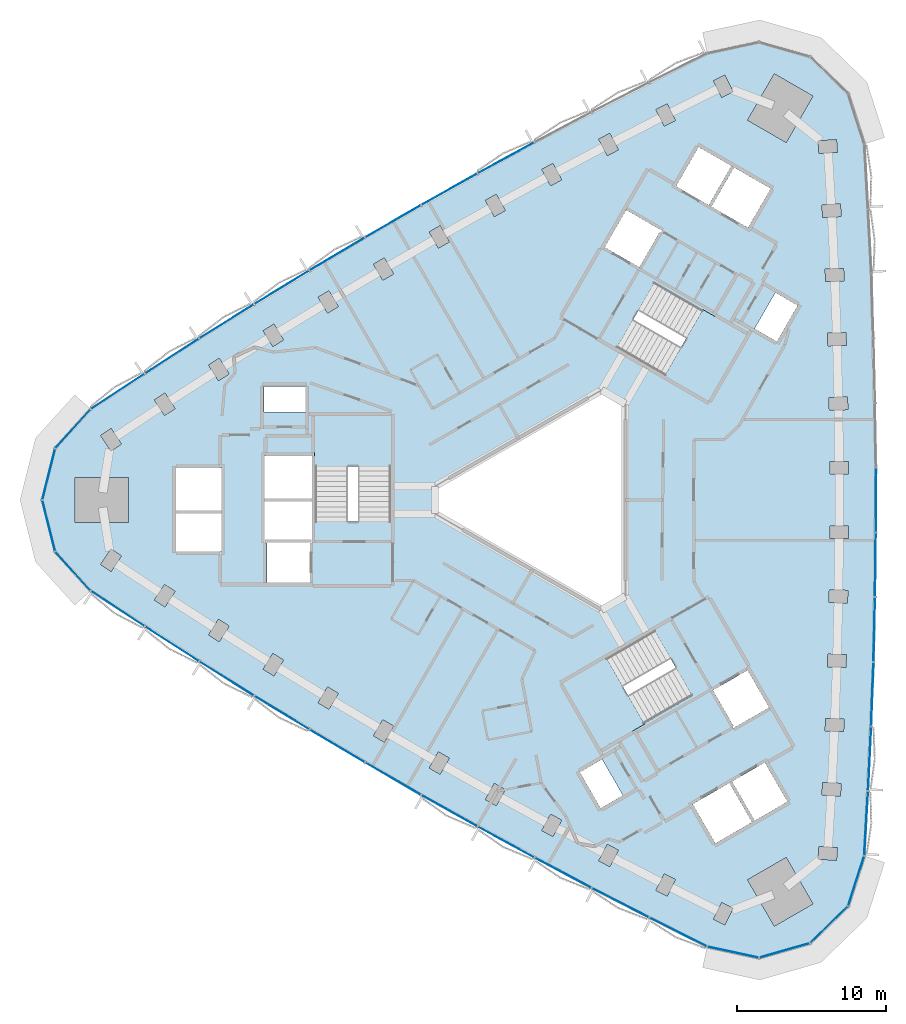
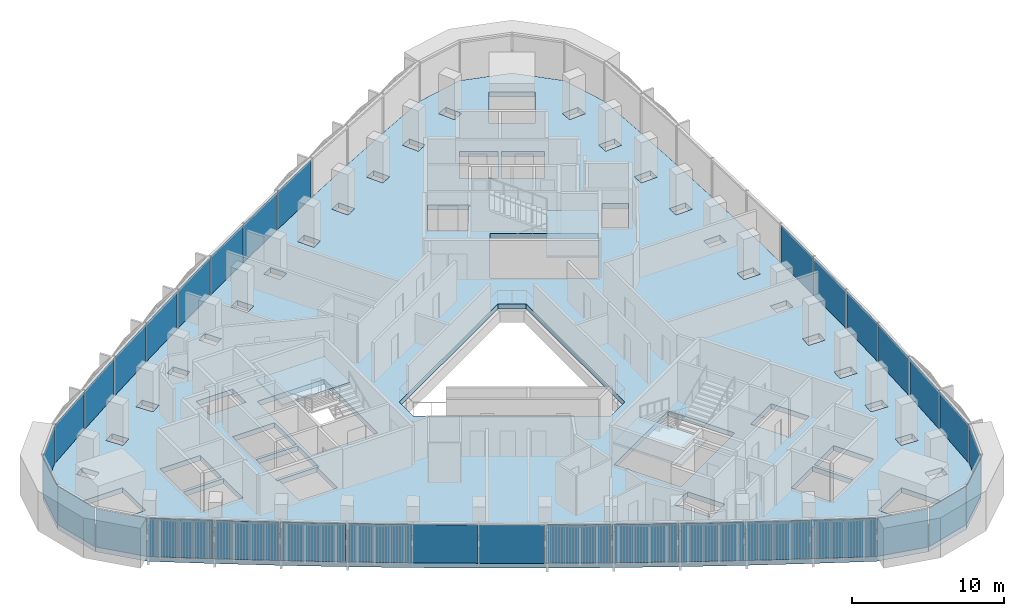
# One storey, part 6 of 14: 33 plates, 4 slabs, 6 elements without a shape of their own.
"""IFC4 building model written with IfcOpenShell, lengths in metres."""

from ifc_helpers import new_model, si_unit, direction, frame, origin, origin_2d, place, context, subcontext, project, spatial, polyline, rectangle, outline, extrude, material, layer, layer_set, type_object, element, aggregate, save


model = new_model("IFC4")

# Units and contexts
model_context = context("Model", 3, precision=1e-05, world=origin(), true_north=direction((0.0, 1.0)))
body_context = subcontext(model_context, "Body", "Model", "MODEL_VIEW")
ifc_project = project(units=[si_unit("LENGTHUNIT", "METRE"), si_unit("AREAUNIT", "SQUARE_METRE"), si_unit("VOLUMEUNIT", "CUBIC_METRE"), si_unit("PLANEANGLEUNIT", "RADIAN"), si_unit("MASSUNIT", "GRAM", prefix="KILO")], contexts=[model_context])

# Site, building, storey
site_placement = place(None, origin())
site = spatial("IfcSite", under=ifc_project, at=site_placement, CompositionType="ELEMENT")
building_placement = place(site_placement, origin())
building = spatial("IfcBuilding", under=site, at=building_placement, Name="Tamra Quay Hotel Tower", CompositionType="ELEMENT")
storey_placement = place(building_placement, frame((0.0, 0.0, 146.800048828125)))
storey = spatial("IfcBuildingStorey", under=building, at=storey_placement, Name="L36", CompositionType="ELEMENT", Elevation=146.800048828125)

# Stair, slab
ifc_material_1 = material(Name="Exit stair 2200 24 risers 150.0 going 342")
stair_type = type_object("IfcStairType", Name="Exit stair 2200 24 risers 150.0 going 342", PredefinedType="HALF_TURN_STAIR", material=ifc_material_1)
stair_1_placement = place(storey_placement, origin())
stair_1 = element("IfcStair", 1, at=stair_1_placement, inside=storey, type_object=stair_type, Name="L36 Exit stair ST3", PredefinedType="HALF_TURN_STAIR")
ifc_material_2 = material(Name="Concrete M70", Category="concrete")
ifc_layer_1 = layer(ifc_material_2, 0.175048828125)
ifc_layer_set_1 = layer_set([ifc_layer_1], Name="Concrete M70 stair landing 180")
slab_type_1 = type_object("IfcSlabType", Name="Concrete M70 stair landing 180", PredefinedType="LANDING", material=ifc_layer_set_1)
slab_1_placement = place(storey_placement, frame((0.0, 0.0, 1.625)))
slab_1 = element("IfcSlab", 2, at=slab_1_placement, type_object=slab_type_1, Name="ST3 landing 1", PredefinedType="LANDING", context=body_context, shape_type="SweptSolid", body=[
    extrude(outline(polyline([(-10.932373046875, 2.261962890625), (-10.932373046875, 5.679931640625), (-16.09130859375, 5.679931640625), (-16.09130859375, 2.261962890625), (-10.932373046875, 2.261962890625)])), origin(), (0.0, 0.0, 1.0), 0.175048828125),
])
aggregate(stair_1, [slab_1])

stair_2_placement = place(storey_placement, origin())
stair_2 = element("IfcStair", 3, at=stair_2_placement, inside=storey, type_object=stair_type, Name="L36 Exit stair ST1", PredefinedType="HALF_TURN_STAIR")
slab_2_placement = place(storey_placement, frame((0.0, 0.0, 1.625)))
slab_2 = element("IfcSlab", 4, at=slab_2_placement, type_object=slab_type_1, Name="ST1 landing 1", PredefinedType="LANDING", context=body_context, shape_type="SweptSolid", body=[
    extrude(outline(polyline([(7.425048828125, 8.336669921875), (10.385009765625, 6.627685546875), (12.964599609375, 11.095458984375), (10.00439453125, 12.804443359375), (7.425048828125, 8.336669921875)])), origin(), (0.0, 0.0, 1.0), 0.175048828125),
])
aggregate(stair_2, [slab_2])

stair_3_placement = place(storey_placement, origin())
stair_3 = element("IfcStair", 5, at=stair_3_placement, inside=storey, type_object=stair_type, Name="L36 Exit stair ST2", PredefinedType="HALF_TURN_STAIR")
slab_3_placement = place(storey_placement, frame((0.0, 0.0, 1.625)))
slab_3 = element("IfcSlab", 6, at=slab_3_placement, type_object=slab_type_1, Name="ST2 landing 1", PredefinedType="LANDING", context=body_context, shape_type="SweptSolid", body=[
    extrude(outline(polyline([(3.50732421875, -10.5986328125), (0.547119140625, -12.3076171875), (3.126708984375, -16.775390625), (6.086669921875, -15.06640625), (3.50732421875, -10.5986328125)])), origin(), (0.0, 0.0, 1.0), 0.175048828125),
])
aggregate(stair_3, [slab_3])

# Slab
ifc_material_3 = material(Name="Concrete M60", Category="concrete")
ifc_layer_2 = layer(ifc_material_3, 0.39990234375)
ifc_layer_set_2 = layer_set([ifc_layer_2], Name="FLOOR SLAB PT 400")
slab_type_2 = type_object("IfcSlabType", Name="FLOOR SLAB PT 400", PredefinedType="FLOOR", material=ifc_layer_set_2)
slab_4_placement = place(storey_placement, frame((0.0, 0.0, -0.400146484375)))
element("IfcSlab", 7, at=slab_4_placement, inside=storey, type_object=slab_type_2, Name="SLAB-L36", PredefinedType="FLOOR", context=body_context, shape_type="SweptSolid", body=[
    extrude(outline(polyline([(21.11181640625, 19.57421875), (21.319580078125, 15.228271484375), (21.4755859375, 10.87841796875), (21.57958984375, 6.527099609375), (21.631591796875, 2.17626953125), (21.631591796875, -2.17626953125), (21.57958984375, -6.527099609375), (21.4755859375, -10.87841796875), (21.319580078125, -15.228271484375), (21.11181640625, -19.57421875), (20.852294921875, -23.918212890625), (19.76171875, -27.31201171875), (17.199951171875, -29.791259765625), (13.772216796875, -30.770263671875), (10.28759765625, -30.017578125), (6.39599609375, -28.0703125), (2.5283203125, -26.077392578125), (-1.31689453125, -24.03759765625), (-5.13720703125, -21.951904296875), (-8.930908203125, -19.821533203125), (-12.700439453125, -17.645263671875), (-16.4423828125, -15.4248046875), (-20.15869140625, -13.1591796875), (-23.84765625, -10.84912109375), (-27.507568359375, -8.49609375), (-31.139892578125, -6.099365234375), (-33.53369140625, -3.4580078125), (-34.39990234375, 0.0), (-33.53369140625, 3.4580078125), (-31.139892578125, 6.099365234375), (-27.507568359375, 8.49609375), (-23.84765625, 10.84912109375), (-20.15869140625, 13.1591796875), (-16.4423828125, 15.4248046875), (-12.700439453125, 17.645263671875), (-8.930908203125, 19.821533203125), (-5.13720703125, 21.951904296875), (-1.31689453125, 24.03759765625), (2.5283203125, 26.077392578125), (6.39599609375, 28.0703125), (10.28759765625, 30.017578125), (13.772216796875, 30.770263671875), (17.199951171875, 29.791259765625), (19.76171875, 27.31201171875), (20.852294921875, 23.918212890625), (21.11181640625, 19.57421875)]), holes=[polyline([(-12.1396484375, -15.846435546875), (-11.406005859375, -16.27587890625), (-10.7744140625, -15.197265625), (-11.5078125, -14.767578125), (-12.1396484375, -15.846435546875)]), polyline([(-15.216796875, -12.561279296875), (-15.86083984375, -13.632568359375), (-15.13232421875, -14.0703125), (-14.48828125, -12.9990234375), (-15.216796875, -12.561279296875)]), polyline([(-18.898193359375, -10.310791015625), (-19.55517578125, -11.3740234375), (-18.83203125, -11.82080078125), (-18.175048828125, -10.757568359375), (-18.898193359375, -10.310791015625)]), polyline([(-22.55224609375, -8.016357421875), (-23.222412109375, -9.071533203125), (-22.5048828125, -9.527099609375), (-21.834716796875, -8.471923828125), (-22.55224609375, -8.016357421875)]), polyline([(-26.179931640625, -5.678466796875), (-26.862060546875, -6.725830078125), (-26.149658203125, -7.189697265625), (-25.467529296875, -6.142333984375), (-26.179931640625, -5.678466796875)]), polyline([(-16.3173828125, -2.85498046875), (-19.4072265625, -2.85498046875), (-19.4072265625, -2.89306640625), (-19.307373046875, -2.89306640625), (-19.307373046875, -5.544921875), (-16.417236328125, -5.544921875), (-16.417236328125, -2.89306640625), (-16.3173828125, -2.89306640625), (-16.3173828125, -2.85498046875)]), polyline([(-29.77880859375, -3.297607421875), (-30.473388671875, -4.3369140625), (-29.7666015625, -4.80908203125), (-29.072021484375, -3.77001953125), (-29.77880859375, -3.297607421875)]), polyline([(-22.3671875, -0.905029296875), (-25.4072265625, -0.905029296875), (-25.4072265625, -3.445068359375), (-22.3671875, -3.445068359375), (-22.3671875, -0.905029296875)]), polyline([(-19.417236328125, -2.89306640625), (-19.417236328125, -2.64501953125), (-16.307373046875, -2.64501953125), (-16.307373046875, -2.89306640625), (-16.26708984375, -2.89306640625), (-16.26708984375, -0.10498046875), (-19.45751953125, -0.10498046875), (-19.45751953125, -2.89306640625), (-19.417236328125, -2.89306640625)]), polyline([(-28.6142578125, 1.5), (-32.214111328125, 1.5), (-32.214111328125, -1.5), (-28.6142578125, -1.5), (-28.6142578125, 1.5)]), polyline([(-25.4072265625, -0.695068359375), (-22.3671875, -0.695068359375), (-22.3671875, 2.14501953125), (-25.4072265625, 2.14501953125), (-25.4072265625, -0.695068359375)]), polyline([(-19.45751953125, 0.10498046875), (-16.26708984375, 0.10498046875), (-16.26708984375, 2.945068359375), (-19.45751953125, 2.945068359375), (-19.45751953125, 0.10498046875)]), polyline([(-16.036376953125, -1.455078125), (-10.9873046875, -1.455078125), (-10.9873046875, 5.625), (-16.036376953125, 5.625), (-16.036376953125, -1.455078125)]), polyline([(-29.072021484375, 3.77001953125), (-29.7666015625, 4.80908203125), (-30.473388671875, 4.3369140625), (-29.77880859375, 3.297607421875), (-29.072021484375, 3.77001953125)]), polyline([(-26.149658203125, 7.189697265625), (-26.862060546875, 6.725830078125), (-26.179931640625, 5.678466796875), (-25.467529296875, 6.142333984375), (-26.149658203125, 7.189697265625)]), polyline([(-16.71728515625, 7.64501953125), (-19.50732421875, 7.64501953125), (-19.50732421875, 5.9150390625), (-16.71728515625, 5.9150390625), (-16.71728515625, 7.64501953125)]), polyline([(-21.834716796875, 8.471923828125), (-22.5048828125, 9.527099609375), (-23.222412109375, 9.071533203125), (-22.55224609375, 8.016357421875), (-21.834716796875, 8.471923828125)]), polyline([(-18.175048828125, 10.757568359375), (-18.83203125, 11.82080078125), (-19.55517578125, 11.3740234375), (-18.898193359375, 10.310791015625), (-18.175048828125, 10.757568359375)]), polyline([(-14.48828125, 12.9990234375), (-15.13232421875, 14.0703125), (-15.86083984375, 13.632568359375), (-15.216796875, 12.561279296875), (-14.48828125, 12.9990234375)]), polyline([(7.414306640625, -25.126708984375), (6.848388671875, -26.2412109375), (7.606201171875, -26.626220703125), (8.17236328125, -25.51171875), (7.414306640625, -25.126708984375)]), polyline([(3.580322265625, -23.1455078125), (3.00146484375, -24.25341796875), (3.7548828125, -24.64697265625), (4.333740234375, -23.5390625), (3.580322265625, -23.1455078125)]), polyline([(-0.821044921875, -22.219482421875), (-0.072509765625, -22.622314453125), (0.519775390625, -21.521484375), (-0.228759765625, -21.118896484375), (-0.821044921875, -22.219482421875)]), polyline([(13.3056640625, -21.65576171875), (11.78564453125, -19.02294921875), (9.325927734375, -20.443115234375), (10.845947265625, -23.075927734375), (13.3056640625, -21.65576171875)]), polyline([(-4.01318359375, -19.046875), (-4.619140625, -20.14013671875), (-3.875732421875, -20.55224609375), (-3.269775390625, -19.458740234375), (-4.01318359375, -19.046875)]), polyline([(1.73779296875, -18.300048828125), (3.1328125, -20.71630859375), (4.631103515625, -19.851318359375), (3.236083984375, -17.43505859375), (1.73779296875, -18.300048828125)]), polyline([(-7.77392578125, -16.9296875), (-8.392333984375, -18.01611328125), (-7.653564453125, -18.436279296875), (-7.035400390625, -17.35009765625), (-7.77392578125, -16.9296875)]), polyline([(9.2783203125, -13.160400390625), (6.75390625, -8.78759765625), (0.622314453125, -12.32763671875), (3.146728515625, -16.7001953125), (9.2783203125, -13.160400390625)]), polyline([(3.199951171875, 7.39013671875), (-8.0, 0.923828125), (-8.0, -0.923828125), (3.199951171875, -7.39013671875), (4.800048828125, -6.46630859375), (4.800048828125, 6.46630859375), (3.199951171875, 7.39013671875)]), polyline([(4.2333984375, 10.242919921875), (10.364990234375, 6.702880859375), (12.889404296875, 11.075439453125), (6.758056640625, 14.615478515625), (4.2333984375, 10.242919921875)]), polyline([(-10.7744140625, 15.197265625), (-11.406005859375, 16.27587890625), (-12.1396484375, 15.846435546875), (-11.5078125, 14.767578125), (-10.7744140625, 15.197265625)]), polyline([(5.736083984375, 15.645263671875), (7.111083984375, 18.02685546875), (7.19775390625, 17.976806640625), (7.267578125, 18.09814453125), (4.8515625, 19.4931640625), (3.406494140625, 16.990234375), (5.736083984375, 15.645263671875)]), polyline([(-7.035400390625, 17.35009765625), (-7.653564453125, 18.436279296875), (-8.392333984375, 18.01611328125), (-7.77392578125, 16.9296875), (-7.035400390625, 17.35009765625)]), polyline([(-3.269775390625, 19.458740234375), (-3.875732421875, 20.55224609375), (-4.619140625, 20.14013671875), (-4.01318359375, 19.046875), (-3.269775390625, 19.458740234375)]), polyline([(8.2001953125, 21.093017578125), (10.39990234375, 19.822998046875), (11.919921875, 22.455810546875), (9.72021484375, 23.725830078125), (8.2001953125, 21.093017578125)]), polyline([(0.519775390625, 21.521484375), (-0.072509765625, 22.622314453125), (-0.821044921875, 22.219482421875), (-0.228759765625, 21.118896484375), (0.519775390625, 21.521484375)]), polyline([(3.7548828125, 24.64697265625), (3.00146484375, 24.25341796875), (3.580322265625, 23.1455078125), (4.333740234375, 23.5390625), (3.7548828125, 24.64697265625)]), polyline([(8.17236328125, 25.51171875), (7.606201171875, 26.626220703125), (6.848388671875, 26.2412109375), (7.414306640625, 25.126708984375), (8.17236328125, 25.51171875)]), polyline([(12.03369140625, 27.43798828125), (11.480712890625, 28.55908203125), (10.718505859375, 28.18310546875), (11.271240234375, 27.06201171875), (12.03369140625, 27.43798828125)]), polyline([(11.271240234375, -27.06201171875), (10.718505859375, -28.18310546875), (11.480712890625, -28.55908203125), (12.03369140625, -27.43798828125), (11.271240234375, -27.06201171875)]), polyline([(13.008056640625, -25.53076171875), (14.80810546875, -28.648193359375), (17.406005859375, -27.148193359375), (15.606201171875, -24.03076171875), (13.008056640625, -25.53076171875)]), polyline([(17.7451171875, -24.140380859375), (18.99267578125, -24.22216796875), (19.048095703125, -23.3740234375), (17.80078125, -23.292236328125), (17.7451171875, -24.140380859375)]), polyline([(14.1669921875, -17.648193359375), (11.96728515625, -18.91796875), (13.487548828125, -21.55078125), (15.68701171875, -20.281005859375), (14.1669921875, -17.648193359375)]), polyline([(19.255859375, -19.900146484375), (19.301513671875, -19.051513671875), (18.05322265625, -18.984375), (18.007568359375, -19.833251953125), (19.255859375, -19.900146484375)]), polyline([(18.218505859375, -15.5224609375), (19.46728515625, -15.5751953125), (19.50341796875, -14.72607421875), (18.25439453125, -14.67333984375), (18.218505859375, -15.5224609375)]), polyline([(10.68115234375, -12.790283203125), (12.05615234375, -15.171875), (11.969482421875, -15.2216796875), (12.03955078125, -15.343017578125), (14.455810546875, -13.947998046875), (13.0107421875, -11.4453125), (10.68115234375, -12.790283203125)]), polyline([(18.37841796875, -11.2109375), (19.627685546875, -11.248291015625), (19.6533203125, -10.398681640625), (18.40380859375, -10.361328125), (18.37841796875, -11.2109375)]), polyline([(18.48681640625, -6.897705078125), (19.736572265625, -6.919677734375), (19.75146484375, -6.06982421875), (18.501708984375, -6.0478515625), (18.48681640625, -6.897705078125)]), polyline([(18.543212890625, -2.582275390625), (19.793212890625, -2.590087890625), (19.79833984375, -1.739990234375), (18.54833984375, -1.732421875), (18.543212890625, -2.582275390625)]), polyline([(18.54833984375, 1.732421875), (19.79833984375, 1.739990234375), (19.793212890625, 2.590087890625), (18.543212890625, 2.582275390625), (18.54833984375, 1.732421875)]), polyline([(18.501708984375, 6.0478515625), (19.75146484375, 6.06982421875), (19.736572265625, 6.919677734375), (18.48681640625, 6.897705078125), (18.501708984375, 6.0478515625)]), polyline([(18.40380859375, 10.361328125), (19.6533203125, 10.398681640625), (19.627685546875, 11.248291015625), (18.37841796875, 11.2109375), (18.40380859375, 10.361328125)]), polyline([(14.9794921875, 10.655029296875), (16.37451171875, 13.0712890625), (14.876220703125, 13.936279296875), (13.481201171875, 11.52001953125), (14.9794921875, 10.655029296875)]), polyline([(18.25439453125, 14.67333984375), (19.50341796875, 14.72607421875), (19.46728515625, 15.5751953125), (18.218505859375, 15.5224609375), (18.25439453125, 14.67333984375)]), polyline([(18.05322265625, 18.984375), (19.301513671875, 19.051513671875), (19.255859375, 19.900146484375), (18.007568359375, 19.833251953125), (18.05322265625, 18.984375)]), polyline([(12.101806640625, 22.350830078125), (10.58154296875, 19.718017578125), (13.041259765625, 18.298095703125), (14.561279296875, 20.930908203125), (12.101806640625, 22.350830078125)]), polyline([(17.80078125, 23.292236328125), (19.048095703125, 23.3740234375), (18.99267578125, 24.22216796875), (17.7451171875, 24.140380859375), (17.80078125, 23.292236328125)]), polyline([(15.606201171875, 24.03076171875), (17.406005859375, 27.148193359375), (14.80810546875, 28.648193359375), (13.008056640625, 25.53076171875), (15.606201171875, 24.03076171875)])]), origin(), (0.0, 0.0, 1.0), 0.400146484375),
])

# Curtain wall, plates
ifc_material_4 = material(Name="Aluminium 6063 anodised dark grey", Category="aluminium")
curtain_wall_type_1 = type_object("IfcCurtainWallType", Name="CW1 CURTAIN WALL", PredefinedType="NOTDEFINED", material=ifc_material_4)
curtain_wall_1_placement = place(storey_placement, origin())
curtain_wall_1 = element("IfcCurtainWall", 8, at=curtain_wall_1_placement, inside=storey, type_object=curtain_wall_type_1, Name="CW1 east face L36", PredefinedType="NOTDEFINED")
ifc_material_5 = material(Name="Glass clear laminated low-iron", Category="glass")
ifc_layer_3 = layer(ifc_material_5, 0.031982421875)
ifc_layer_set_3 = layer_set([ifc_layer_3], Name="GLASS PANEL CW1 Z3")
plate_type_1 = type_object("IfcPlateType", Name="GLASS PANEL CW1 Z3", PredefinedType="CURTAIN_PANEL", material=ifc_layer_set_3)
plate_1_placement = place(storey_placement, frame((20.98193359375, -21.74609375, 0.0), z_axis=(0.0, 0.0, 1.0), x_axis=(0.059641629271, 0.998219853568, 0.0)))
plate_1 = element("IfcPlate", 9, at=plate_1_placement, type_object=plate_type_1, Name="CW1 glass L36.E.1", PredefinedType="CURTAIN_PANEL", context=body_context, shape_type="SweptSolid", body=[
    extrude(rectangle(XDim=4.251708984375, YDim=0.031982421875, at=origin_2d()), origin(), (0.0, 0.0, 1.0), 3.06005859375),
])
plate_2_placement = place(storey_placement, frame((21.215576171875, -17.401123046875, 0.0), z_axis=(0.0, 0.0, 1.0), x_axis=(0.047747439326, 0.998859440581, 0.0)))
plate_2 = element("IfcPlate", 10, at=plate_2_placement, type_object=plate_type_1, Name="CW1 glass L36.E.2", PredefinedType="CURTAIN_PANEL", context=body_context, shape_type="SweptSolid", body=[
    extrude(rectangle(XDim=4.2509765625, YDim=0.031982421875, at=origin_2d()), origin(), (0.0, 0.0, 1.0), 3.06005859375),
])
plate_3_placement = place(storey_placement, frame((21.3974609375, -13.05322265625, 0.0), z_axis=(0.0, 0.0, 1.0), x_axis=(0.035845418958, 0.999357346468, 0.0)))
plate_3 = element("IfcPlate", 11, at=plate_3_placement, type_object=plate_type_1, Name="CW1 glass L36.E.3", PredefinedType="CURTAIN_PANEL", context=body_context, shape_type="SweptSolid", body=[
    extrude(rectangle(XDim=4.252685546875, YDim=0.031982421875, at=origin_2d()), origin(), (0.0, 0.0, 1.0), 3.06005859375),
])
plate_4_placement = place(storey_placement, frame((21.527587890625, -8.70263671875, 0.0), z_axis=(0.0, 0.0, 1.0), x_axis=(0.023895852937, 0.999714453338, 0.0)))
plate_4 = element("IfcPlate", 12, at=plate_4_placement, type_object=plate_type_1, Name="CW1 glass L36.E.4", PredefinedType="CURTAIN_PANEL", context=body_context, shape_type="SweptSolid", body=[
    extrude(rectangle(XDim=4.252685546875, YDim=0.031982421875, at=origin_2d()), origin(), (0.0, 0.0, 1.0), 3.06005859375),
])
plate_5_placement = place(storey_placement, frame((21.60546875, -4.3515625, 0.0), z_axis=(0.0, 0.0, 1.0), x_axis=(0.011956859788, 0.999928514197, 0.0)))
plate_5 = element("IfcPlate", 13, at=plate_5_placement, type_object=plate_type_1, Name="CW1 glass L36.E.5", PredefinedType="CURTAIN_PANEL", context=body_context, shape_type="SweptSolid", body=[
    extrude(rectangle(XDim=4.2509765625, YDim=0.031982421875, at=origin_2d()), origin(), (0.0, 0.0, 1.0), 3.06005859375),
])
plate_6_placement = place(storey_placement, frame((21.631591796875, 0.0, 0.0), z_axis=(0.0, 0.0, 1.0), x_axis=(0.0, 1.0, 0.0)))
plate_6 = element("IfcPlate", 14, at=plate_6_placement, type_object=plate_type_1, Name="CW1 glass L36.E.6", PredefinedType="CURTAIN_PANEL", context=body_context, shape_type="SweptSolid", body=[
    extrude(rectangle(XDim=4.252685546875, YDim=0.031982421875, at=origin_2d()), origin(), (0.0, 0.0, 1.0), 3.06005859375),
])
aggregate(curtain_wall_1, [plate_1, plate_2, plate_3, plate_4, plate_5, plate_6])

curtain_wall_type_2 = type_object("IfcCurtainWallType", Name="CW2 CURTAIN WALL", PredefinedType="NOTDEFINED", material=ifc_material_4)
curtain_wall_2_placement = place(storey_placement, origin())
curtain_wall_2 = element("IfcCurtainWall", 15, at=curtain_wall_2_placement, inside=storey, type_object=curtain_wall_type_2, Name="CW2 north-west face L36", PredefinedType="NOTDEFINED")
ifc_layer_4 = layer(ifc_material_5, 0.031982421875)
ifc_layer_set_4 = layer_set([ifc_layer_4], Name="GLASS PANEL CW2 Z3")
plate_type_2 = type_object("IfcPlateType", Name="GLASS PANEL CW2 Z3", PredefinedType="CURTAIN_PANEL", material=ifc_layer_set_4)
plate_7_placement = place(storey_placement, frame((-3.22705078125, 22.99462890625, 0.0), z_axis=(0.0, 0.0, 1.0), x_axis=(-0.877726039589, -0.479162810981, 0.0)))
plate_7 = element("IfcPlate", 16, at=plate_7_placement, type_object=plate_type_2, Name="CW2 glass L36.NW.4", PredefinedType="CURTAIN_PANEL", context=body_context, shape_type="SweptSolid", body=[
    extrude(rectangle(XDim=4.252685546875, YDim=0.031982421875, at=origin_2d()), origin(), (0.0, 0.0, 1.0), 3.06005859375),
])
plate_8_placement = place(storey_placement, frame((-7.0341796875, 20.88671875, 0.0), z_axis=(0.0, 0.0, 1.0), x_axis=(-0.871941925157, -0.489609312772, 0.0)))
plate_8 = element("IfcPlate", 17, at=plate_8_placement, type_object=plate_type_2, Name="CW2 glass L36.NW.5", PredefinedType="CURTAIN_PANEL", context=body_context, shape_type="SweptSolid", body=[
    extrude(rectangle(XDim=4.2509765625, YDim=0.031982421875, at=origin_2d()), origin(), (0.0, 0.0, 1.0), 3.06005859375),
])
plate_9_placement = place(storey_placement, frame((-10.815673828125, 18.7333984375, 0.0), z_axis=(0.0, 0.0, 1.0), x_axis=(-0.866025403784, -0.5, 0.0)))
plate_9 = element("IfcPlate", 18, at=plate_9_placement, type_object=plate_type_2, Name="CW2 glass L36.NW.6", PredefinedType="CURTAIN_PANEL", context=body_context, shape_type="SweptSolid", body=[
    extrude(rectangle(XDim=4.252685546875, YDim=0.031982421875, at=origin_2d()), origin(), (0.0, 0.0, 1.0), 3.06005859375),
])
plate_10_placement = place(storey_placement, frame((-14.571533203125, 16.53515625, 0.0), z_axis=(0.0, 0.0, 1.0), x_axis=(-0.859985065369, -0.510319201424, 0.0)))
plate_10 = element("IfcPlate", 19, at=plate_10_placement, type_object=plate_type_2, Name="CW2 glass L36.NW.7", PredefinedType="CURTAIN_PANEL", context=body_context, shape_type="SweptSolid", body=[
    extrude(rectangle(XDim=4.2509765625, YDim=0.031982421875, at=origin_2d()), origin(), (0.0, 0.0, 1.0), 3.06005859375),
])
plate_11_placement = place(storey_placement, frame((-18.300537109375, 14.2919921875, 0.0), z_axis=(0.0, 0.0, 1.0), x_axis=(-0.853830186653, -0.520551642357, 0.0)))
plate_11 = element("IfcPlate", 20, at=plate_11_placement, type_object=plate_type_2, Name="CW2 glass L36.NW.8", PredefinedType="CURTAIN_PANEL", context=body_context, shape_type="SweptSolid", body=[
    extrude(rectangle(XDim=4.252685546875, YDim=0.031982421875, at=origin_2d()), origin(), (0.0, 0.0, 1.0), 3.06005859375),
])
plate_12_placement = place(storey_placement, frame((-22.003173828125, 12.004150390625, 0.0), z_axis=(0.0, 0.0, 1.0), x_axis=(-0.847546140021, -0.530721716661, 0.0)))
plate_12 = element("IfcPlate", 21, at=plate_12_placement, type_object=plate_type_2, Name="CW2 glass L36.NW.9", PredefinedType="CURTAIN_PANEL", context=body_context, shape_type="SweptSolid", body=[
    extrude(rectangle(XDim=4.252685546875, YDim=0.031982421875, at=origin_2d()), origin(), (0.0, 0.0, 1.0), 3.06005859375),
])
plate_13_placement = place(storey_placement, frame((-25.677734375, 9.672607421875, 0.0), z_axis=(0.0, 0.0, 1.0), x_axis=(-0.84116393069, -0.540780215713, 0.0)))
plate_13 = element("IfcPlate", 22, at=plate_13_placement, type_object=plate_type_2, Name="CW2 glass L36.NW.10", PredefinedType="CURTAIN_PANEL", context=body_context, shape_type="SweptSolid", body=[
    extrude(rectangle(XDim=4.2509765625, YDim=0.031982421875, at=origin_2d()), origin(), (0.0, 0.0, 1.0), 3.06005859375),
])
plate_14_placement = place(storey_placement, frame((-29.32373046875, 7.2978515625, 0.0), z_axis=(0.0, 0.0, 1.0), x_axis=(-0.834662937117, -0.550761092856, 0.0)))
plate_14 = element("IfcPlate", 23, at=plate_14_placement, type_object=plate_type_2, Name="CW2 glass L36.NW.11", PredefinedType="CURTAIN_PANEL", context=body_context, shape_type="SweptSolid", body=[
    extrude(rectangle(XDim=4.251708984375, YDim=0.031982421875, at=origin_2d()), origin(), (0.0, 0.0, 1.0), 3.06005859375),
])
plate_15_placement = place(storey_placement, frame((-32.3369140625, 4.77880859375, 0.0), z_axis=(0.0, 0.0, 1.0), x_axis=(-0.671549804177, -0.740959418936, 0.0)))
plate_15 = element("IfcPlate", 24, at=plate_15_placement, type_object=plate_type_2, Name="CW2 glass L36.NW.12", PredefinedType="CURTAIN_PANEL", context=body_context, shape_type="SweptSolid", body=[
    extrude(rectangle(XDim=3.46484375, YDim=0.031982421875, at=origin_2d()), origin(), (0.0, 0.0, 1.0), 3.06005859375),
])
plate_16_placement = place(storey_placement, frame((-33.967041015625, 1.72900390625, 0.0), z_axis=(0.0, 0.0, 1.0), x_axis=(-0.242976186667, -0.970032253439, 0.0)))
plate_16 = element("IfcPlate", 25, at=plate_16_placement, type_object=plate_type_2, Name="CW2 glass L36.NW.13", PredefinedType="CURTAIN_PANEL", context=body_context, shape_type="SweptSolid", body=[
    extrude(rectangle(XDim=3.46484375, YDim=0.031982421875, at=origin_2d()), origin(), (0.0, 0.0, 1.0), 3.06005859375),
])
plate_17_placement = place(storey_placement, frame((-33.967041015625, -1.72900390625, 0.0), z_axis=(0.0, 0.0, 1.0), x_axis=(0.242976186667, -0.970032253439, 0.0)))
plate_17 = element("IfcPlate", 26, at=plate_17_placement, type_object=plate_type_2, Name="CW2 glass L36.NW.14", PredefinedType="CURTAIN_PANEL", context=body_context, shape_type="SweptSolid", body=[
    extrude(rectangle(XDim=3.46484375, YDim=0.031982421875, at=origin_2d()), origin(), (0.0, 0.0, 1.0), 3.06005859375),
])
plate_18_placement = place(storey_placement, frame((-32.3369140625, -4.77880859375, 0.0), z_axis=(0.0, 0.0, 1.0), x_axis=(0.671549804177, -0.740959418936, 0.0)))
plate_18 = element("IfcPlate", 27, at=plate_18_placement, type_object=plate_type_2, Name="CW2 glass L36.NW.15", PredefinedType="CURTAIN_PANEL", context=body_context, shape_type="SweptSolid", body=[
    extrude(rectangle(XDim=3.46484375, YDim=0.031982421875, at=origin_2d()), origin(), (0.0, 0.0, 1.0), 3.06005859375),
])
aggregate(curtain_wall_2, [plate_7, plate_8, plate_9, plate_10, plate_11, plate_12, plate_13, plate_14, plate_15, plate_16, plate_17, plate_18])

curtain_wall_type_3 = type_object("IfcCurtainWallType", Name="CW3 CURTAIN WALL", PredefinedType="NOTDEFINED", material=ifc_material_4)
curtain_wall_3_placement = place(storey_placement, origin())
curtain_wall_3 = element("IfcCurtainWall", 28, at=curtain_wall_3_placement, inside=storey, type_object=curtain_wall_type_3, Name="CW3 south-west face L36", PredefinedType="NOTDEFINED")
ifc_layer_5 = layer(ifc_material_5, 0.031982421875)
ifc_layer_set_5 = layer_set([ifc_layer_5], Name="GLASS PANEL CW3 Z3")
plate_type_3 = type_object("IfcPlateType", Name="GLASS PANEL CW3 Z3", PredefinedType="CURTAIN_PANEL", material=ifc_layer_set_5)
plate_19_placement = place(storey_placement, frame((-29.32373046875, -7.2978515625, 0.0), z_axis=(0.0, 0.0, 1.0), x_axis=(0.834662937117, -0.550761092856, 0.0)))
plate_19 = element("IfcPlate", 29, at=plate_19_placement, type_object=plate_type_3, Name="CW3 glass L36.SW.1", PredefinedType="CURTAIN_PANEL", context=body_context, shape_type="SweptSolid", body=[
    extrude(rectangle(XDim=4.251708984375, YDim=0.031982421875, at=origin_2d()), origin(), (0.0, 0.0, 1.0), 3.06005859375),
])
plate_20_placement = place(storey_placement, frame((-25.677734375, -9.672607421875, 0.0), z_axis=(0.0, 0.0, 1.0), x_axis=(0.84116393069, -0.540780215713, 0.0)))
plate_20 = element("IfcPlate", 30, at=plate_20_placement, type_object=plate_type_3, Name="CW3 glass L36.SW.2", PredefinedType="CURTAIN_PANEL", context=body_context, shape_type="SweptSolid", body=[
    extrude(rectangle(XDim=4.2509765625, YDim=0.031982421875, at=origin_2d()), origin(), (0.0, 0.0, 1.0), 3.06005859375),
])
plate_21_placement = place(storey_placement, frame((-22.003173828125, -12.004150390625, 0.0), z_axis=(0.0, 0.0, 1.0), x_axis=(0.847546140021, -0.530721716661, 0.0)))
plate_21 = element("IfcPlate", 31, at=plate_21_placement, type_object=plate_type_3, Name="CW3 glass L36.SW.3", PredefinedType="CURTAIN_PANEL", context=body_context, shape_type="SweptSolid", body=[
    extrude(rectangle(XDim=4.252685546875, YDim=0.031982421875, at=origin_2d()), origin(), (0.0, 0.0, 1.0), 3.06005859375),
])
plate_22_placement = place(storey_placement, frame((-18.300537109375, -14.2919921875, 0.0), z_axis=(0.0, 0.0, 1.0), x_axis=(0.853830186653, -0.520551642357, 0.0)))
plate_22 = element("IfcPlate", 32, at=plate_22_placement, type_object=plate_type_3, Name="CW3 glass L36.SW.4", PredefinedType="CURTAIN_PANEL", context=body_context, shape_type="SweptSolid", body=[
    extrude(rectangle(XDim=4.252685546875, YDim=0.031982421875, at=origin_2d()), origin(), (0.0, 0.0, 1.0), 3.06005859375),
])
plate_23_placement = place(storey_placement, frame((-14.571533203125, -16.53515625, 0.0), z_axis=(0.0, 0.0, 1.0), x_axis=(0.859985065369, -0.510319201424, 0.0)))
plate_23 = element("IfcPlate", 33, at=plate_23_placement, type_object=plate_type_3, Name="CW3 glass L36.SW.5", PredefinedType="CURTAIN_PANEL", context=body_context, shape_type="SweptSolid", body=[
    extrude(rectangle(XDim=4.2509765625, YDim=0.031982421875, at=origin_2d()), origin(), (0.0, 0.0, 1.0), 3.06005859375),
])
plate_24_placement = place(storey_placement, frame((-10.815673828125, -18.7333984375, 0.0), z_axis=(0.0, 0.0, 1.0), x_axis=(0.866025403784, -0.5, 0.0)))
plate_24 = element("IfcPlate", 34, at=plate_24_placement, type_object=plate_type_3, Name="CW3 glass L36.SW.6", PredefinedType="CURTAIN_PANEL", context=body_context, shape_type="SweptSolid", body=[
    extrude(rectangle(XDim=4.252685546875, YDim=0.031982421875, at=origin_2d()), origin(), (0.0, 0.0, 1.0), 3.06005859375),
])
plate_25_placement = place(storey_placement, frame((-7.0341796875, -20.88671875, 0.0), z_axis=(0.0, 0.0, 1.0), x_axis=(0.871941925157, -0.489609312772, 0.0)))
plate_25 = element("IfcPlate", 35, at=plate_25_placement, type_object=plate_type_3, Name="CW3 glass L36.SW.7", PredefinedType="CURTAIN_PANEL", context=body_context, shape_type="SweptSolid", body=[
    extrude(rectangle(XDim=4.2509765625, YDim=0.031982421875, at=origin_2d()), origin(), (0.0, 0.0, 1.0), 3.06005859375),
])
plate_26_placement = place(storey_placement, frame((-3.22705078125, -22.99462890625, 0.0), z_axis=(0.0, 0.0, 1.0), x_axis=(0.877726039589, -0.479162810981, 0.0)))
plate_26 = element("IfcPlate", 36, at=plate_26_placement, type_object=plate_type_3, Name="CW3 glass L36.SW.8", PredefinedType="CURTAIN_PANEL", context=body_context, shape_type="SweptSolid", body=[
    extrude(rectangle(XDim=4.252685546875, YDim=0.031982421875, at=origin_2d()), origin(), (0.0, 0.0, 1.0), 3.06005859375),
])
plate_27_placement = place(storey_placement, frame((0.605712890625, -25.057373046875, 0.0), z_axis=(0.0, 0.0, 1.0), x_axis=(0.883391558979, -0.468635629808, 0.0)))
plate_27 = element("IfcPlate", 37, at=plate_27_placement, type_object=plate_type_3, Name="CW3 glass L36.SW.9", PredefinedType="CURTAIN_PANEL", context=body_context, shape_type="SweptSolid", body=[
    extrude(rectangle(XDim=4.252685546875, YDim=0.031982421875, at=origin_2d()), origin(), (0.0, 0.0, 1.0), 3.06005859375),
])
plate_28_placement = place(storey_placement, frame((4.462158203125, -27.073974609375, 0.0), z_axis=(0.0, 0.0, 1.0), x_axis=(0.888911370016, -0.458079224868, 0.0)))
plate_28 = element("IfcPlate", 38, at=plate_28_placement, type_object=plate_type_3, Name="CW3 glass L36.SW.10", PredefinedType="CURTAIN_PANEL", context=body_context, shape_type="SweptSolid", body=[
    extrude(rectangle(XDim=4.2509765625, YDim=0.031982421875, at=origin_2d()), origin(), (0.0, 0.0, 1.0), 3.06005859375),
])
plate_29_placement = place(storey_placement, frame((8.341796875, -29.0439453125, 0.0), z_axis=(0.0, 0.0, 1.0), x_axis=(0.894304566387, -0.447458760713, 0.0)))
plate_29 = element("IfcPlate", 39, at=plate_29_placement, type_object=plate_type_3, Name="CW3 glass L36.SW.11", PredefinedType="CURTAIN_PANEL", context=body_context, shape_type="SweptSolid", body=[
    extrude(rectangle(XDim=4.251708984375, YDim=0.031982421875, at=origin_2d()), origin(), (0.0, 0.0, 1.0), 3.06005859375),
])
plate_30_placement = place(storey_placement, frame((12.030029296875, -30.393798828125, 0.0), z_axis=(0.0, 0.0, 1.0), x_axis=(0.97746458206, -0.211099480856, 0.0)))
plate_30 = element("IfcPlate", 40, at=plate_30_placement, type_object=plate_type_3, Name="CW3 glass L36.SW.12", PredefinedType="CURTAIN_PANEL", context=body_context, shape_type="SweptSolid", body=[
    extrude(rectangle(XDim=3.46484375, YDim=0.031982421875, at=origin_2d()), origin(), (0.0, 0.0, 1.0), 3.06005859375),
])
plate_31_placement = place(storey_placement, frame((15.486083984375, -30.28076171875, 0.0), z_axis=(0.0, 0.0, 1.0), x_axis=(0.961560667302, 0.274592576551, 0.0)))
plate_31 = element("IfcPlate", 41, at=plate_31_placement, type_object=plate_type_3, Name="CW3 glass L36.SW.13", PredefinedType="CURTAIN_PANEL", context=body_context, shape_type="SweptSolid", body=[
    extrude(rectangle(XDim=3.46484375, YDim=0.031982421875, at=origin_2d()), origin(), (0.0, 0.0, 1.0), 3.06005859375),
])
plate_32_placement = place(storey_placement, frame((18.480712890625, -28.5517578125, 0.0), z_axis=(0.0, 0.0, 1.0), x_axis=(0.718584480635, 0.695439676888, 0.0)))
plate_32 = element("IfcPlate", 42, at=plate_32_placement, type_object=plate_type_3, Name="CW3 glass L36.SW.14", PredefinedType="CURTAIN_PANEL", context=body_context, shape_type="SweptSolid", body=[
    extrude(rectangle(XDim=3.46484375, YDim=0.031982421875, at=origin_2d()), origin(), (0.0, 0.0, 1.0), 3.06005859375),
])
plate_33_placement = place(storey_placement, frame((20.306884765625, -25.615234375, 0.0), z_axis=(0.0, 0.0, 1.0), x_axis=(0.305914777883, 0.952058899792, 0.0)))
plate_33 = element("IfcPlate", 43, at=plate_33_placement, type_object=plate_type_3, Name="CW3 glass L36.SW.15", PredefinedType="CURTAIN_PANEL", context=body_context, shape_type="SweptSolid", body=[
    extrude(rectangle(XDim=3.46484375, YDim=0.031982421875, at=origin_2d()), origin(), (0.0, 0.0, 1.0), 3.06005859375),
])
aggregate(curtain_wall_3, [plate_19, plate_20, plate_21, plate_22, plate_23, plate_24, plate_25, plate_26, plate_27, plate_28, plate_29, plate_30, plate_31, plate_32, plate_33])

save(model, "model.ifc")
